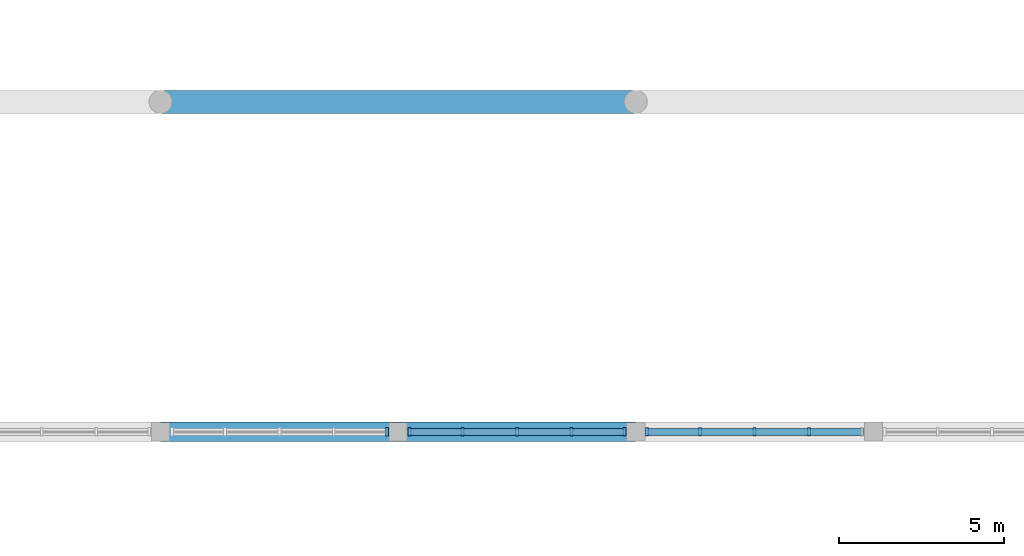
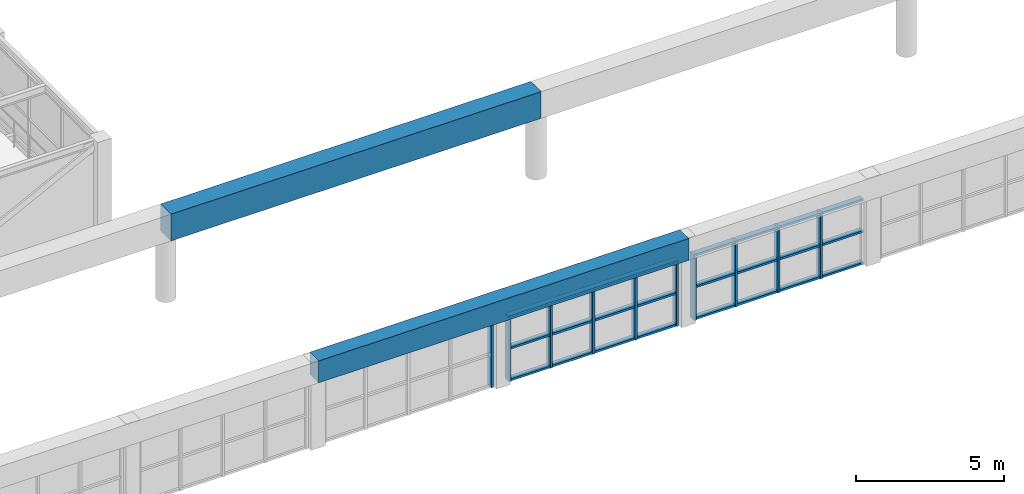
# One storey, part 11 of 83: 16 members, 2 beams, 3 elements without a shape of their own.
"""IFC4 building model written with IfcOpenShell, lengths in metres."""

from ifc_helpers import new_model, si_unit, direction, frame, origin, origin_2d, place, context, subcontext, project, spatial, rectangle, extrude, material, material_profile, profile_set, type_object, element, aggregate, save


model = new_model("IFC4")

# Units and contexts
model_context = context("Model", 3, precision=1e-05, world=origin(), true_north=direction((0.0, 1.0)))
body_context = subcontext(model_context, "Body", "Model", "MODEL_VIEW")
ifc_project = project(units=[si_unit("LENGTHUNIT", "METRE"), si_unit("AREAUNIT", "SQUARE_METRE"), si_unit("VOLUMEUNIT", "CUBIC_METRE"), si_unit("PLANEANGLEUNIT", "RADIAN"), si_unit("MASSUNIT", "GRAM", prefix="KILO")], contexts=[model_context])

# Site, building, storey
site_placement = place(None, origin())
site = spatial("IfcSite", under=ifc_project, at=site_placement, CompositionType="ELEMENT")
building_placement = place(site_placement, origin())
building = spatial("IfcBuilding", under=site, at=building_placement, Name="Leyfeld Transit Interchange", CompositionType="ELEMENT")
storey_placement = place(building_placement, frame((0.0, 0.0, 5.39990234375)))
storey = spatial("IfcBuildingStorey", under=building, at=storey_placement, Name="L01", CompositionType="ELEMENT", Elevation=5.39990234375)

# Beams
ifc_material_1 = material(Name="Concrete C40/50", Category="concrete")
ifc_material_profile_1 = material_profile(ifc_material_1, rectangle(XDim=0.699951171875, YDim=1.10009765625, at=origin_2d()), Name="RC 1100x700")
ifc_profile_set_1 = profile_set([ifc_material_profile_1], Name="Concrete C40/50")
beam_type_1 = type_object("IfcBeamType", Name="BM-RC-1100x700", PredefinedType="SPANDREL", material=ifc_profile_set_1)
beam_1_placement = place(storey_placement, frame((43.199951171875, 60.39990234375, 3.050048828125), z_axis=(1.0, 0.0, 0.0), x_axis=(0.0, 1.0, 0.0)))
element("IfcBeam", 1, at=beam_1_placement, inside=storey, type_object=beam_type_1, Name="Concourse Vault Edge Beam N Bay 4", PredefinedType="SPANDREL", context=body_context, shape_type="SweptSolid", body=[
    extrude(rectangle(XDim=0.699951171875, YDim=1.10009765625, at=origin_2d()), origin(), (0.0, 0.0, 1.0), 14.400146484375),
])
ifc_material_2 = material(Name="Concrete C35/45", Category="concrete")
ifc_material_profile_2 = material_profile(ifc_material_2, rectangle(XDim=0.60009765625, YDim=0.89990234375, at=origin_2d()), Name="RC 900x600")
ifc_profile_set_2 = profile_set([ifc_material_profile_2], Name="Concrete C35/45")
beam_type_2 = type_object("IfcBeamType", Name="BM-RC-900x600", PredefinedType="JOIST", material=ifc_profile_set_2)
beam_2_placement = place(storey_placement, frame((43.199951171875, 50.39990234375, 3.150146484375), z_axis=(1.0, 0.0, 0.0), x_axis=(0.0, 1.0, 0.0)))
element("IfcBeam", 2, at=beam_2_placement, inside=storey, type_object=beam_type_2, Name="Concourse Hall Flank Beam HN Bay 4", PredefinedType="JOIST", context=body_context, shape_type="SweptSolid", body=[
    extrude(rectangle(XDim=0.60009765625, YDim=0.89990234375, at=origin_2d()), origin(), (0.0, 0.0, 1.0), 14.400146484375),
])

# Curtain wall, member
ifc_material_3 = material(Name="Anodised aluminium EN AW-6060 T66", Category="aluminium")
curtain_wall_type = type_object("IfcCurtainWallType", Name="CW-SYS-ARC-7200", PredefinedType="NOTDEFINED", material=ifc_material_3)
curtain_wall_1_placement = place(storey_placement, origin())
curtain_wall_1 = element("IfcCurtainWall", 3, at=curtain_wall_1_placement, inside=storey, type_object=curtain_wall_type, Name="Curtain Wall CW-L01-CLR-163", PredefinedType="NOTDEFINED")
ifc_material_profile_3 = material_profile(ifc_material_3, rectangle(XDim=0.0849609375, YDim=0.260009765625, at=origin_2d()), Name="CW-M 85x260")
ifc_profile_set_3 = profile_set([ifc_material_profile_3], Name="Anodised aluminium EN AW-6060 T66")
member_type_1 = type_object("IfcMemberType", Name="CW-MUL-220x80", PredefinedType="MULLION", material=ifc_profile_set_3)
member_1_placement = place(storey_placement, frame((50.0576171875, 50.39990234375, 0.0), z_axis=(0.0, 0.0, 1.0), x_axis=(-1.0, 0.0, 0.0)))
member_1 = element("IfcMember", 4, at=member_1_placement, type_object=member_type_1, Name="Curtain Mullion CW-L01-CLR-163-M01", PredefinedType="MULLION", context=body_context, shape_type="SweptSolid", body=[
    extrude(rectangle(XDim=0.0849609375, YDim=0.260009765625, at=origin_2d()), origin(), (0.0, 0.0, 1.0), 2.7001953125),
])
aggregate(curtain_wall_1, [member_1])

# Curtain wall, members
curtain_wall_2_placement = place(storey_placement, origin())
curtain_wall_2 = element("IfcCurtainWall", 5, at=curtain_wall_2_placement, inside=storey, type_object=curtain_wall_type, Name="Curtain Wall CW-L01-CLR-164", PredefinedType="NOTDEFINED")
member_2_placement = place(storey_placement, frame((57.257568359375, 50.39990234375, 0.0), z_axis=(0.0, 0.0, 1.0), x_axis=(-1.0, 0.0, 0.0)))
member_2 = element("IfcMember", 6, at=member_2_placement, type_object=member_type_1, Name="Curtain Mullion CW-L01-CLR-164-M01", PredefinedType="MULLION", context=body_context, shape_type="SweptSolid", body=[
    extrude(rectangle(XDim=0.0849609375, YDim=0.260009765625, at=origin_2d()), origin(), (0.0, 0.0, 1.0), 2.7001953125),
])
member_3_placement = place(storey_placement, frame((55.64990234375, 50.39990234375, 0.0), z_axis=(0.0, 0.0, 1.0), x_axis=(-1.0, 0.0, 0.0)))
member_3 = element("IfcMember", 7, at=member_3_placement, type_object=member_type_1, Name="Curtain Mullion CW-L01-CLR-164-M02", PredefinedType="MULLION", context=body_context, shape_type="SweptSolid", body=[
    extrude(rectangle(XDim=0.0849609375, YDim=0.260009765625, at=origin_2d()), origin(), (0.0, 0.0, 1.0), 2.7001953125),
])
member_4_placement = place(storey_placement, frame((54.0, 50.39990234375, 0.0), z_axis=(0.0, 0.0, 1.0), x_axis=(-1.0, 0.0, 0.0)))
member_4 = element("IfcMember", 8, at=member_4_placement, type_object=member_type_1, Name="Curtain Mullion CW-L01-CLR-164-M03", PredefinedType="MULLION", context=body_context, shape_type="SweptSolid", body=[
    extrude(rectangle(XDim=0.0849609375, YDim=0.260009765625, at=origin_2d()), origin(), (0.0, 0.0, 1.0), 2.7001953125),
])
member_5_placement = place(storey_placement, frame((52.35009765625, 50.39990234375, 0.0), z_axis=(0.0, 0.0, 1.0), x_axis=(-1.0, 0.0, 0.0)))
member_5 = element("IfcMember", 9, at=member_5_placement, type_object=member_type_1, Name="Curtain Mullion CW-L01-CLR-164-M04", PredefinedType="MULLION", context=body_context, shape_type="SweptSolid", body=[
    extrude(rectangle(XDim=0.0849609375, YDim=0.260009765625, at=origin_2d()), origin(), (0.0, 0.0, 1.0), 2.7001953125),
])
member_6_placement = place(storey_placement, frame((50.742431640625, 50.39990234375, 0.0), z_axis=(0.0, 0.0, 1.0), x_axis=(-1.0, 0.0, 0.0)))
member_6 = element("IfcMember", 10, at=member_6_placement, type_object=member_type_1, Name="Curtain Mullion CW-L01-CLR-164-M05", PredefinedType="MULLION", context=body_context, shape_type="SweptSolid", body=[
    extrude(rectangle(XDim=0.0849609375, YDim=0.260009765625, at=origin_2d()), origin(), (0.0, 0.0, 1.0), 2.7001953125),
])

curtain_wall_3_placement = place(storey_placement, origin())
curtain_wall_3 = element("IfcCurtainWall", 11, at=curtain_wall_3_placement, inside=storey, type_object=curtain_wall_type, Name="Curtain Wall CW-L01-CLR-165", PredefinedType="NOTDEFINED")
member_7_placement = place(storey_placement, frame((62.85009765625, 50.39990234375, 0.0), z_axis=(0.0, 0.0, 1.0), x_axis=(-1.0, 0.0, 0.0)))
member_7 = element("IfcMember", 12, at=member_7_placement, type_object=member_type_1, Name="Curtain Mullion CW-L01-CLR-165-M02", PredefinedType="MULLION", context=body_context, shape_type="SweptSolid", body=[
    extrude(rectangle(XDim=0.0849609375, YDim=0.260009765625, at=origin_2d()), origin(), (0.0, 0.0, 1.0), 2.7001953125),
])
member_8_placement = place(storey_placement, frame((61.199951171875, 50.39990234375, 0.0), z_axis=(0.0, 0.0, 1.0), x_axis=(-1.0, 0.0, 0.0)))
member_8 = element("IfcMember", 13, at=member_8_placement, type_object=member_type_1, Name="Curtain Mullion CW-L01-CLR-165-M03", PredefinedType="MULLION", context=body_context, shape_type="SweptSolid", body=[
    extrude(rectangle(XDim=0.0849609375, YDim=0.260009765625, at=origin_2d()), origin(), (0.0, 0.0, 1.0), 2.7001953125),
])
member_9_placement = place(storey_placement, frame((59.550048828125, 50.39990234375, 0.0), z_axis=(0.0, 0.0, 1.0), x_axis=(-1.0, 0.0, 0.0)))
member_9 = element("IfcMember", 14, at=member_9_placement, type_object=member_type_1, Name="Curtain Mullion CW-L01-CLR-165-M04", PredefinedType="MULLION", context=body_context, shape_type="SweptSolid", body=[
    extrude(rectangle(XDim=0.0849609375, YDim=0.260009765625, at=origin_2d()), origin(), (0.0, 0.0, 1.0), 2.7001953125),
])
member_10_placement = place(storey_placement, frame((57.9423828125, 50.39990234375, 0.0), z_axis=(0.0, 0.0, 1.0), x_axis=(-1.0, 0.0, 0.0)))
member_10 = element("IfcMember", 15, at=member_10_placement, type_object=member_type_1, Name="Curtain Mullion CW-L01-CLR-165-M05", PredefinedType="MULLION", context=body_context, shape_type="SweptSolid", body=[
    extrude(rectangle(XDim=0.0849609375, YDim=0.260009765625, at=origin_2d()), origin(), (0.0, 0.0, 1.0), 2.7001953125),
])

# Member
ifc_material_profile_4 = material_profile(ifc_material_3, rectangle(XDim=0.2099609375, YDim=0.0849609375, at=origin_2d()), Name="CW-TRN-200x80")
ifc_profile_set_4 = profile_set([ifc_material_profile_4], Name="Anodised aluminium EN AW-6060 T66")
member_type_2 = type_object("IfcMemberType", Name="CW-TRN-200x80", PredefinedType="USERDEFINED", material=ifc_profile_set_4)
member_11_placement = place(storey_placement, frame((57.300048828125, 50.39990234375, 0.04248046875), z_axis=(-1.0, 0.0, 0.0), x_axis=(0.0, -1.0, 0.0)))
member_11 = element("IfcMember", 16, at=member_11_placement, type_object=member_type_2, Name="Curtain Transom CW-L01-CLR-164-T01", ObjectType="TRANSOM", PredefinedType="USERDEFINED", context=body_context, shape_type="SweptSolid", body=[
    extrude(rectangle(XDim=0.2099609375, YDim=0.0849609375, at=origin_2d()), origin(), (0.0, 0.0, 1.0), 6.60009765625),
])

member_12_placement = place(storey_placement, frame((57.300048828125, 50.39990234375, 1.35009765625), z_axis=(-1.0, 0.0, 0.0), x_axis=(0.0, -1.0, 0.0)))
member_12 = element("IfcMember", 17, at=member_12_placement, type_object=member_type_2, Name="Curtain Transom CW-L01-CLR-164-T02", ObjectType="TRANSOM", PredefinedType="USERDEFINED", context=body_context, shape_type="SweptSolid", body=[
    extrude(rectangle(XDim=0.2099609375, YDim=0.0849609375, at=origin_2d()), origin(), (0.0, 0.0, 1.0), 6.60009765625),
])

member_13_placement = place(storey_placement, frame((57.300048828125, 50.39990234375, 2.65771484375), z_axis=(-1.0, 0.0, 0.0), x_axis=(0.0, -1.0, 0.0)))
member_13 = element("IfcMember", 18, at=member_13_placement, type_object=member_type_2, Name="Curtain Transom CW-L01-CLR-164-T03", ObjectType="TRANSOM", PredefinedType="USERDEFINED", context=body_context, shape_type="SweptSolid", body=[
    extrude(rectangle(XDim=0.2099609375, YDim=0.0849609375, at=origin_2d()), origin(), (0.0, 0.0, 1.0), 6.60009765625),
])

aggregate(curtain_wall_2, [member_2, member_3, member_4, member_5, member_6, member_11, member_12, member_13])

member_14_placement = place(storey_placement, frame((64.5, 50.39990234375, 0.04248046875), z_axis=(-1.0, 0.0, 0.0), x_axis=(0.0, -1.0, 0.0)))
member_14 = element("IfcMember", 19, at=member_14_placement, type_object=member_type_2, Name="Curtain Transom CW-L01-CLR-165-T01", ObjectType="TRANSOM", PredefinedType="USERDEFINED", context=body_context, shape_type="SweptSolid", body=[
    extrude(rectangle(XDim=0.2099609375, YDim=0.0849609375, at=origin_2d()), origin(), (0.0, 0.0, 1.0), 6.60009765625),
])

member_15_placement = place(storey_placement, frame((64.5, 50.39990234375, 1.35009765625), z_axis=(-1.0, 0.0, 0.0), x_axis=(0.0, -1.0, 0.0)))
member_15 = element("IfcMember", 20, at=member_15_placement, type_object=member_type_2, Name="Curtain Transom CW-L01-CLR-165-T02", ObjectType="TRANSOM", PredefinedType="USERDEFINED", context=body_context, shape_type="SweptSolid", body=[
    extrude(rectangle(XDim=0.2099609375, YDim=0.0849609375, at=origin_2d()), origin(), (0.0, 0.0, 1.0), 6.60009765625),
])

member_16_placement = place(storey_placement, frame((64.5, 50.39990234375, 2.65771484375), z_axis=(-1.0, 0.0, 0.0), x_axis=(0.0, -1.0, 0.0)))
member_16 = element("IfcMember", 21, at=member_16_placement, type_object=member_type_2, Name="Curtain Transom CW-L01-CLR-165-T03", ObjectType="TRANSOM", PredefinedType="USERDEFINED", context=body_context, shape_type="SweptSolid", body=[
    extrude(rectangle(XDim=0.2099609375, YDim=0.0849609375, at=origin_2d()), origin(), (0.0, 0.0, 1.0), 6.60009765625),
])

aggregate(curtain_wall_3, [member_7, member_8, member_9, member_10, member_14, member_15, member_16])

save(model, "model.ifc")
